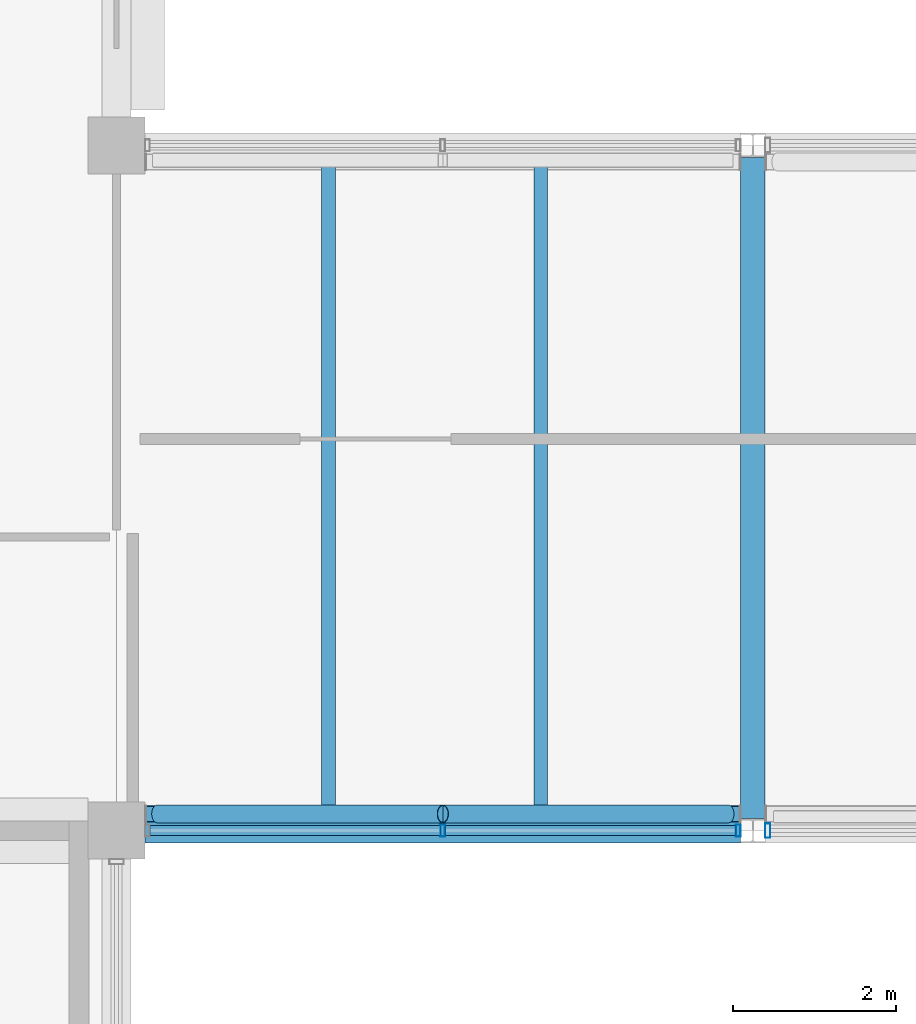
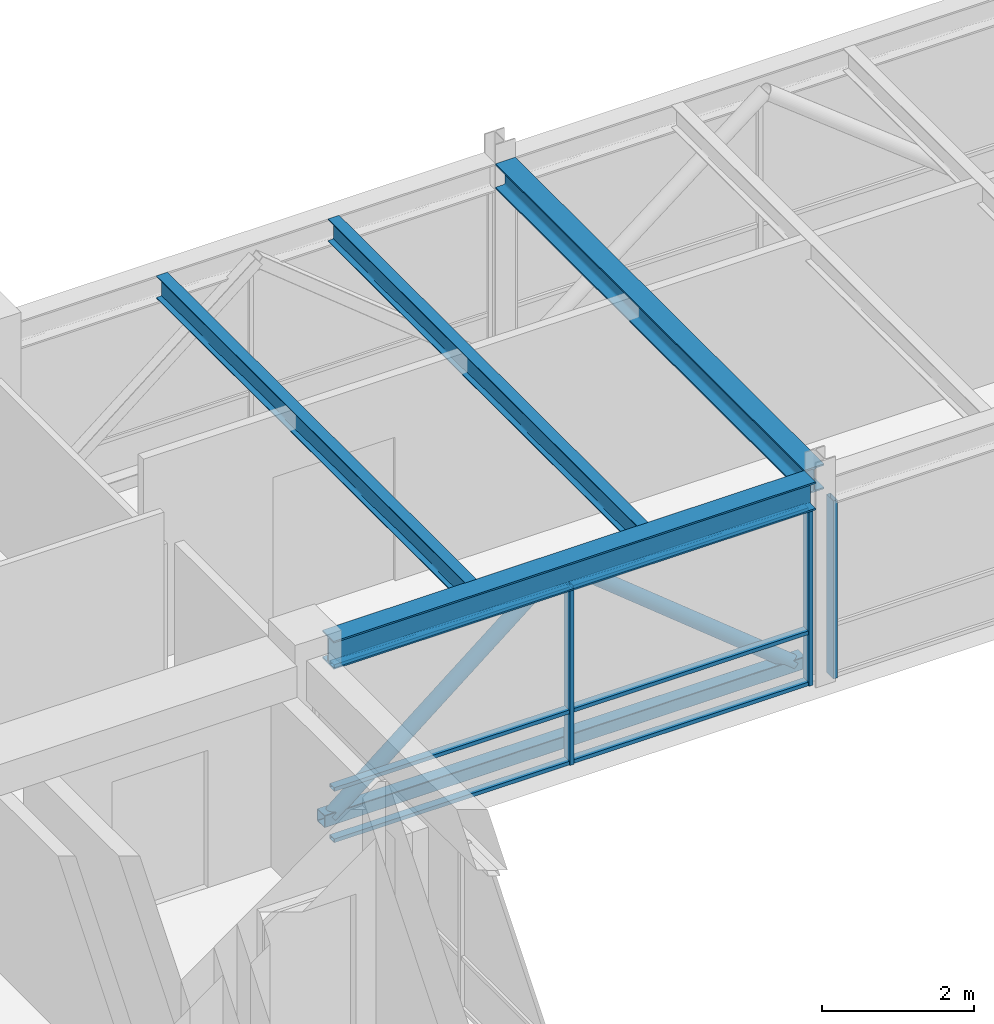
# One storey, part 12 of 49: 12 members, 4 beams, 2 elements without a shape of their own.
"""IFC4 building model written with IfcOpenShell, lengths in metres."""

from ifc_helpers import new_model, si_unit, direction, frame, origin, origin_2d, place, context, subcontext, project, spatial, hollow_rectangle, hollow_circle, i_section, extrude, material, material_profile, profile_set, type_object, element, aggregate, save


model = new_model("IFC4")

# Units and contexts
model_context = context("Model", 3, precision=1e-05, world=origin(), true_north=direction((0.0, 1.0)))
body_context = subcontext(model_context, "Body", "Model", "MODEL_VIEW")
ifc_project = project(units=[si_unit("LENGTHUNIT", "METRE"), si_unit("AREAUNIT", "SQUARE_METRE"), si_unit("VOLUMEUNIT", "CUBIC_METRE"), si_unit("PLANEANGLEUNIT", "RADIAN"), si_unit("MASSUNIT", "GRAM", prefix="KILO"), si_unit("THERMODYNAMICTEMPERATUREUNIT", "KELVIN"), si_unit("POWERUNIT", "WATT")], contexts=[model_context])

# Site, building, storey
site_placement = place(None, origin())
site = spatial("IfcSite", under=ifc_project, at=site_placement, CompositionType="ELEMENT")
building_placement = place(site_placement, origin())
building = spatial("IfcBuilding", under=site, at=building_placement, Name="Srebrne Nadtorze General Hospital", CompositionType="ELEMENT")
storey_placement = place(building_placement, frame((0.0, 0.0, 26.10009765625)))
storey = spatial("IfcBuildingStorey", under=building, at=storey_placement, Name="L06", CompositionType="ELEMENT", Elevation=26.10009765625)

# Beams
ifc_material_1 = material(Name="Steel S355J2", Category="steel")
ifc_material_profile_1 = material_profile(ifc_material_1, i_section(OverallWidth=0.300048828125, OverallDepth=0.39990234375, WebThickness=0.013427734375, FlangeThickness=0.02392578125, FilletRadius=0.027099609375, at=origin_2d()), Name="HEB-400")
ifc_profile_set_1 = profile_set([ifc_material_profile_1], Name="Steel S355J2")
beam_type_1 = type_object("IfcBeamType", Name="Courtyard bridge girder HEB 400", PredefinedType="BEAM", material=ifc_profile_set_1)
beam_1_placement = place(storey_placement, frame((62.39990234375, 50.550048828125, 3.099853515625), z_axis=(0.0, 1.0, 0.0), x_axis=(-1.0, 0.0, 0.0)))
element("IfcBeam", 1, at=beam_1_placement, inside=storey, type_object=beam_type_1, Name="Beam BM-L06-Y-1217", PredefinedType="BEAM", context=body_context, shape_type="SweptSolid", body=[
    extrude(i_section(OverallWidth=0.300048828125, OverallDepth=0.39990234375, WebThickness=0.013427734375, FlangeThickness=0.02392578125, FilletRadius=0.027099609375, at=origin_2d()), origin(), (0.0, 0.0, 1.0), 8.099853515625),
])
ifc_material_2 = material(Name="Steel S355J2", Category="steel")
ifc_material_profile_2 = material_profile(ifc_material_2, i_section(OverallWidth=0.300048828125, OverallDepth=0.449951171875, WebThickness=0.013916015625, FlangeThickness=0.02587890625, FilletRadius=0.027099609375, at=origin_2d()), Name="HEB-450")
ifc_profile_set_2 = profile_set([ifc_material_profile_2], Name="Steel S355J2")
beam_type_2 = type_object("IfcBeamType", Name="Courtyard bridge girder HEB 450", PredefinedType="BEAM", material=ifc_profile_set_2)
beam_2_placement = place(storey_placement, frame((54.949951171875, 50.39990234375, 3.074951171875), z_axis=(1.0, 0.0, 0.0), x_axis=(0.0, 1.0, 0.0)))
element("IfcBeam", 2, at=beam_2_placement, inside=storey, type_object=beam_type_2, Name="Beam BM-L06-X-1154", PredefinedType="BEAM", context=body_context, shape_type="SweptSolid", body=[
    extrude(i_section(OverallWidth=0.300048828125, OverallDepth=0.449951171875, WebThickness=0.013916015625, FlangeThickness=0.02587890625, FilletRadius=0.027099609375, at=origin_2d()), origin(), (0.0, 0.0, 1.0), 7.300048828125),
])

# Curtain wall, members
ifc_material_3 = material(Name="Anodised Aluminium", Category="aluminium")
curtain_wall_type_1 = type_object("IfcCurtainWallType", Name="Bridge curtain wall 7300x2850", PredefinedType="NOTDEFINED", material=ifc_material_3)
curtain_wall_1_placement = place(storey_placement, origin())
curtain_wall_1 = element("IfcCurtainWall", 3, at=curtain_wall_1_placement, inside=storey, type_object=curtain_wall_type_1, Name="Curtain wall CW-138", PredefinedType="NOTDEFINED")
ifc_material_4 = material(Name="Anodised Aluminium", Category="aluminium")
ifc_material_profile_3 = material_profile(ifc_material_4, hollow_rectangle(XDim=0.06005859375, YDim=0.14990234375, WallThickness=0.00390625, at=origin_2d()), Name="AL-MUL-60x150")
ifc_profile_set_3 = profile_set([ifc_material_profile_3], Name="Anodised Aluminium")
member_type_1 = type_object("IfcMemberType", Name="Curtain mullion 60x150", PredefinedType="MULLION", material=ifc_profile_set_3)
member_1_placement = place(storey_placement, frame((58.60009765625, 50.39990234375, 0.0), z_axis=(0.0, 0.0, 1.0), x_axis=(1.0, 0.0, 0.0)))
member_1 = element("IfcMember", 4, at=member_1_placement, type_object=member_type_1, Name="CW-138 mullion 2", PredefinedType="MULLION", context=body_context, shape_type="SweptSolid", body=[
    extrude(hollow_rectangle(XDim=0.06005859375, YDim=0.14990234375, WallThickness=0.00390625, at=origin_2d()), origin(), (0.0, 0.0, 1.0), 2.849853515625),
])
member_2_placement = place(storey_placement, frame((62.219970703125, 50.39990234375, 0.0), z_axis=(0.0, 0.0, 1.0), x_axis=(1.0, 0.0, 0.0)))
member_2 = element("IfcMember", 5, at=member_2_placement, type_object=member_type_1, Name="CW-138 mullion 3", PredefinedType="MULLION", context=body_context, shape_type="SweptSolid", body=[
    extrude(hollow_rectangle(XDim=0.06005859375, YDim=0.14990234375, WallThickness=0.00390625, at=origin_2d()), origin(), (0.0, 0.0, 1.0), 2.849853515625),
])

# Curtain wall, member
ifc_material_5 = material(Name="Anodised Aluminium", Category="aluminium")
curtain_wall_type_2 = type_object("IfcCurtainWallType", Name="Bridge curtain wall 7500x2850", PredefinedType="NOTDEFINED", material=ifc_material_5)
curtain_wall_2_placement = place(storey_placement, origin())
curtain_wall_2 = element("IfcCurtainWall", 6, at=curtain_wall_2_placement, inside=storey, type_object=curtain_wall_type_2, Name="Curtain wall CW-139", PredefinedType="NOTDEFINED")
ifc_material_6 = material(Name="Anodised Aluminium", Category="aluminium")
ifc_material_profile_4 = material_profile(ifc_material_6, hollow_rectangle(XDim=0.06494140625, YDim=0.179931640625, WallThickness=0.00390625, at=origin_2d()), Name="AL-MUL-65x180")
ifc_profile_set_4 = profile_set([ifc_material_profile_4], Name="Anodised Aluminium")
member_type_2 = type_object("IfcMemberType", Name="Curtain mullion 65x180", PredefinedType="MULLION", material=ifc_profile_set_4)
member_3_placement = place(storey_placement, frame((62.58251953125, 50.39990234375, 0.0), z_axis=(0.0, 0.0, 1.0), x_axis=(1.0, 0.0, 0.0)))
member_3 = element("IfcMember", 7, at=member_3_placement, type_object=member_type_2, Name="CW-139 mullion 1", PredefinedType="MULLION", context=body_context, shape_type="SweptSolid", body=[
    extrude(hollow_rectangle(XDim=0.06494140625, YDim=0.179931640625, WallThickness=0.00390625, at=origin_2d()), origin(), (0.0, 0.0, 1.0), 2.849853515625),
])
aggregate(curtain_wall_2, [member_3])

# Member
ifc_material_7 = material(Name="Anodised Aluminium", Category="aluminium")
ifc_material_profile_5 = material_profile(ifc_material_7, hollow_rectangle(XDim=0.06005859375, YDim=0.1201171875, WallThickness=0.00390625, at=origin_2d()), Name="AL-TRN-60x120")
ifc_profile_set_5 = profile_set([ifc_material_profile_5], Name="Anodised Aluminium")
member_type_3 = type_object("IfcMemberType", Name="Curtain transom 60x120", PredefinedType="USERDEFINED", material=ifc_profile_set_5)
member_4_placement = place(storey_placement, frame((55.010009765625, 50.39990234375, 0.02978515625), z_axis=(1.0, 0.0, 0.0), x_axis=(0.0, 0.0, 1.0)))
member_4 = element("IfcMember", 8, at=member_4_placement, type_object=member_type_3, Name="CW-138 transom 1.1", ObjectType="TRANSOM", PredefinedType="USERDEFINED", context=body_context, shape_type="SweptSolid", body=[
    extrude(hollow_rectangle(XDim=0.06005859375, YDim=0.1201171875, WallThickness=0.00390625, at=origin_2d()), origin(), (0.0, 0.0, 1.0), 3.56005859375),
])

member_5_placement = place(storey_placement, frame((55.010009765625, 50.39990234375, 0.849853515625), z_axis=(1.0, 0.0, 0.0), x_axis=(0.0, 0.0, 1.0)))
member_5 = element("IfcMember", 9, at=member_5_placement, type_object=member_type_3, Name="CW-138 transom 1.2", ObjectType="TRANSOM", PredefinedType="USERDEFINED", context=body_context, shape_type="SweptSolid", body=[
    extrude(hollow_rectangle(XDim=0.06005859375, YDim=0.1201171875, WallThickness=0.00390625, at=origin_2d()), origin(), (0.0, 0.0, 1.0), 3.56005859375),
])

member_6_placement = place(storey_placement, frame((55.010009765625, 50.39990234375, 2.81982421875), z_axis=(1.0, 0.0, 0.0), x_axis=(0.0, 0.0, 1.0)))
member_6 = element("IfcMember", 10, at=member_6_placement, type_object=member_type_3, Name="CW-138 transom 1.3", ObjectType="TRANSOM", PredefinedType="USERDEFINED", context=body_context, shape_type="SweptSolid", body=[
    extrude(hollow_rectangle(XDim=0.06005859375, YDim=0.1201171875, WallThickness=0.00390625, at=origin_2d()), origin(), (0.0, 0.0, 1.0), 3.56005859375),
])

member_7_placement = place(storey_placement, frame((58.6298828125, 50.39990234375, 0.02978515625), z_axis=(1.0, 0.0, 0.0), x_axis=(0.0, 0.0, 1.0)))
member_7 = element("IfcMember", 11, at=member_7_placement, type_object=member_type_3, Name="CW-138 transom 2.1", ObjectType="TRANSOM", PredefinedType="USERDEFINED", context=body_context, shape_type="SweptSolid", body=[
    extrude(hollow_rectangle(XDim=0.06005859375, YDim=0.1201171875, WallThickness=0.00390625, at=origin_2d()), origin(), (0.0, 0.0, 1.0), 3.56005859375),
])

member_8_placement = place(storey_placement, frame((58.6298828125, 50.39990234375, 0.849853515625), z_axis=(1.0, 0.0, 0.0), x_axis=(0.0, 0.0, 1.0)))
member_8 = element("IfcMember", 12, at=member_8_placement, type_object=member_type_3, Name="CW-138 transom 2.2", ObjectType="TRANSOM", PredefinedType="USERDEFINED", context=body_context, shape_type="SweptSolid", body=[
    extrude(hollow_rectangle(XDim=0.06005859375, YDim=0.1201171875, WallThickness=0.00390625, at=origin_2d()), origin(), (0.0, 0.0, 1.0), 3.56005859375),
])

member_9_placement = place(storey_placement, frame((58.6298828125, 50.39990234375, 2.81982421875), z_axis=(1.0, 0.0, 0.0), x_axis=(0.0, 0.0, 1.0)))
member_9 = element("IfcMember", 13, at=member_9_placement, type_object=member_type_3, Name="CW-138 transom 2.3", ObjectType="TRANSOM", PredefinedType="USERDEFINED", context=body_context, shape_type="SweptSolid", body=[
    extrude(hollow_rectangle(XDim=0.06005859375, YDim=0.1201171875, WallThickness=0.00390625, at=origin_2d()), origin(), (0.0, 0.0, 1.0), 3.56005859375),
])

aggregate(curtain_wall_1, [member_1, member_2, member_4, member_5, member_6, member_7, member_8, member_9])

# Beams
ifc_material_8 = material(Name="Steel S355J2", Category="steel")
ifc_material_profile_6 = material_profile(ifc_material_8, i_section(OverallWidth=0.169921875, OverallDepth=0.360107421875, WebThickness=0.008056640625, FlangeThickness=0.0126953125, FilletRadius=0.01806640625, at=origin_2d()), Name="IPE-360")
ifc_profile_set_6 = profile_set([ifc_material_profile_6], Name="Steel S355J2")
beam_type_3 = type_object("IfcBeamType", Name="Deck joist IPE 360", PredefinedType="JOIST", material=ifc_profile_set_6)
for number, where, z_axis, x_axis, name in (
    (14, (57.199951171875, 50.544921875, 3.119873046875), (0.0, 1.0, 0.0), (-1.0, 0.0, 0.0), "Clinical courtyard bridge deck joist 164"),
    (15, (59.800048828125, 50.544921875, 3.119873046875), (0.0, 1.0, 0.0), (-1.0, 0.0, 0.0), "Clinical courtyard bridge deck joist 165"),
):
    element("IfcBeam", number, at=place(storey_placement, frame(where, z_axis=z_axis, x_axis=x_axis)), inside=storey, type_object=beam_type_3, Name=name, PredefinedType="JOIST", context=body_context, shape_type="SweptSolid", body=[
        extrude(i_section(OverallWidth=0.169921875, OverallDepth=0.360107421875, WebThickness=0.008056640625, FlangeThickness=0.0126953125, FilletRadius=0.01806640625, at=origin_2d()), origin(), (0.0, 0.0, 1.0), 8.110107421875),
    ])

# Members
ifc_material_9 = material(Name="Steel S355J2", Category="steel")
ifc_material_profile_7 = material_profile(ifc_material_9, hollow_circle(Radius=0.109619140625, WallThickness=0.008056640625, at=origin_2d()), Name="CHS-219.1x8")
ifc_profile_set_7 = profile_set([ifc_material_profile_7], Name="Steel S355J2")
member_type_4 = type_object("IfcMemberType", Name="Diagonal brace CHS 219.1x8", PredefinedType="BRACE", material=ifc_profile_set_7)
for number, where, z_axis, x_axis, name in (
    (16, (55.10009765625, 50.6044921875, 0.25), (0.777624948613, 0.0, 0.628728430481), (0.0, 1.0, 0.0), "Clinical courtyard bridge brace 25"),
    (17, (62.10009765625, 50.6044921875, 0.25), (-0.777624948613, 0.0, 0.628728430481), (0.0, -1.0, 0.0), "Clinical courtyard bridge brace 26"),
):
    element("IfcMember", number, at=place(storey_placement, frame(where, z_axis=z_axis, x_axis=x_axis)), inside=storey, type_object=member_type_4, Name=name, PredefinedType="BRACE", context=body_context, shape_type="SweptSolid", body=[
        extrude(hollow_circle(Radius=0.109619140625, WallThickness=0.008056640625, at=origin_2d()), origin(), (0.0, 0.0, 1.0), 4.5009765625),
    ])
ifc_material_10 = material(Name="Steel S355J2", Category="steel")
ifc_material_profile_8 = material_profile(ifc_material_10, hollow_rectangle(XDim=0.199951171875, YDim=0.199951171875, WallThickness=0.010009765625, InnerFilletRadius=0.010009765625, OuterFilletRadius=0.014892578125, at=origin_2d()), Name="SHS-200x200x10")
ifc_profile_set_8 = profile_set([ifc_material_profile_8], Name="Steel S355J2")
member_type_5 = type_object("IfcMemberType", Name="Truss chord SHS 200x200x10", PredefinedType="CHORD", material=ifc_profile_set_8)
member_10_placement = place(storey_placement, frame((54.9619140625, 50.60498046875, 0.25), z_axis=(1.0, 0.0, 0.0), x_axis=(0.0, 1.0, 0.0)))
element("IfcMember", 18, at=member_10_placement, inside=storey, type_object=member_type_5, Name="Clinical courtyard bridge truss chord 13", PredefinedType="CHORD", context=body_context, shape_type="SweptSolid", body=[
    extrude(hollow_rectangle(XDim=0.199951171875, YDim=0.199951171875, WallThickness=0.010009765625, InnerFilletRadius=0.010009765625, OuterFilletRadius=0.014892578125, at=origin_2d()), origin(), (0.0, 0.0, 1.0), 7.276123046875),
])

save(model, "model.ifc")
